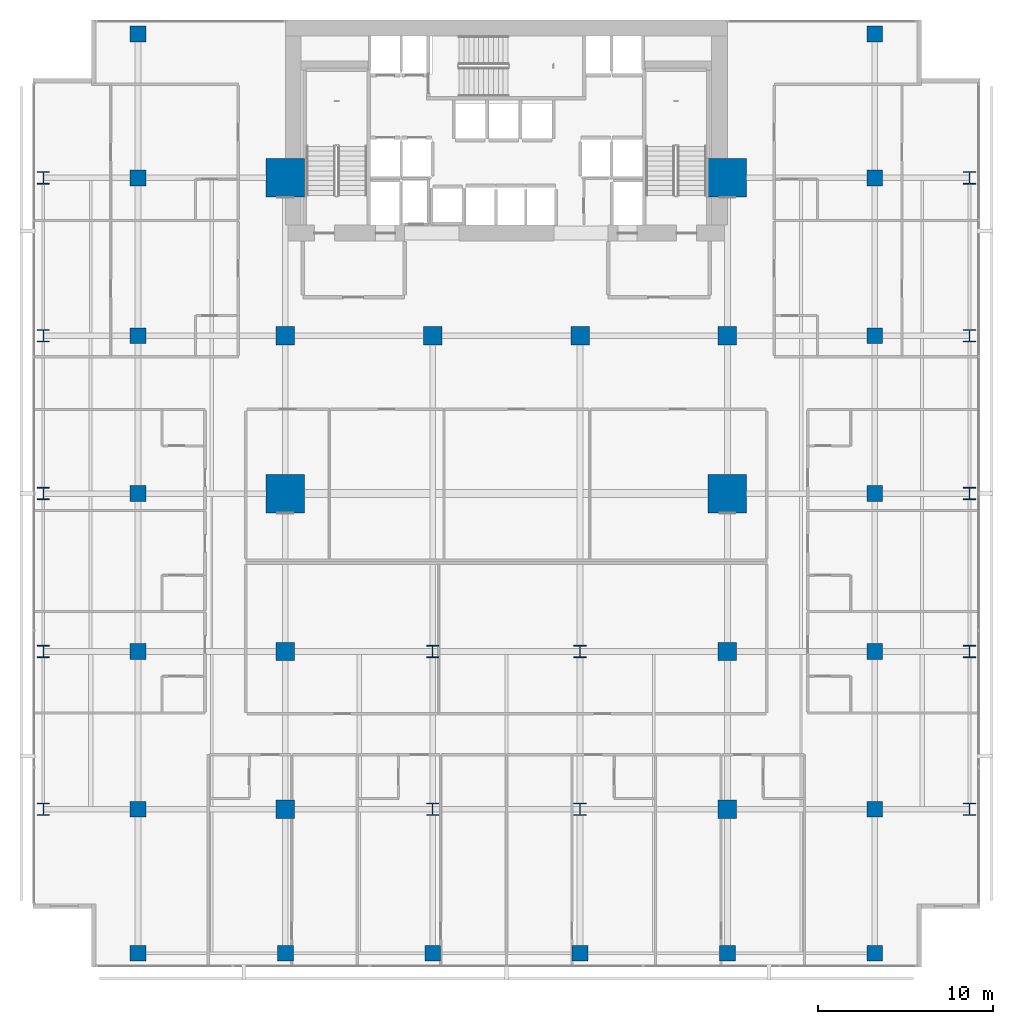
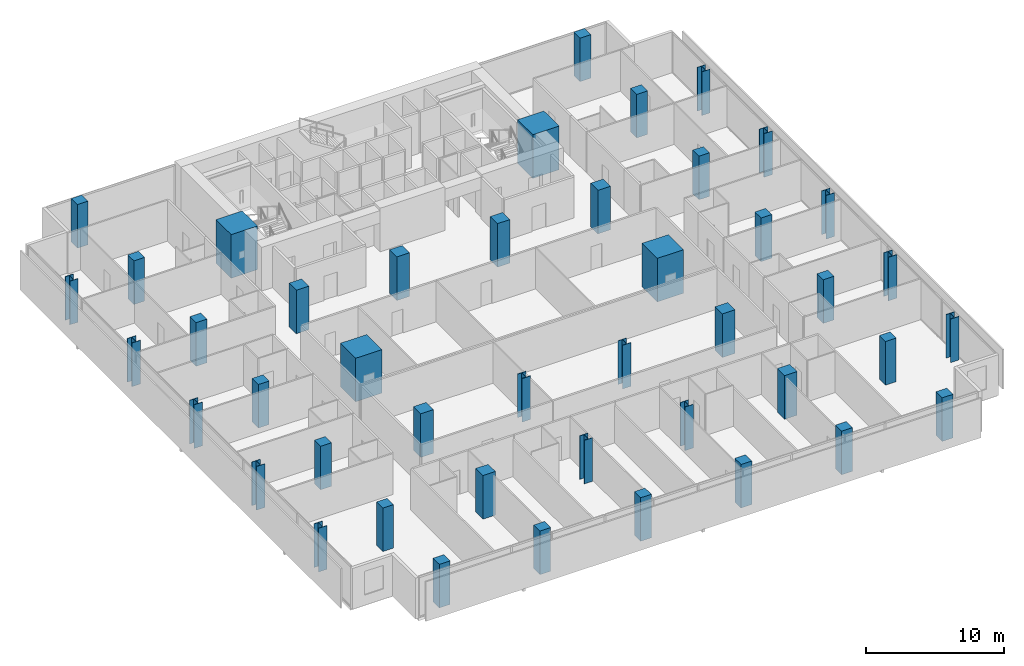
# One storey, part 1 of 40: 44 columns.
"""IFC4 building model written with IfcOpenShell, lengths in metres."""

import ifcopenshell
import ifcopenshell.guid

model = None  # the IFC model being written
_history = None  # IfcOwnerHistory: only IFC2X3 demands one
_inside = {}  # id of a spatial element -> (the spatial element, [elements in it])
_under = {}  # id of a project, library or spatial element -> (it, [spatial elements below it])
_declared = {}  # id of a project -> (the project, [libraries it declares])
_typed = {}  # id of a type object -> (the type object, [elements of that type])
_made_of = {}  # id of a material, layer set ... -> (it, [elements and type objects made of it])


def new_model(schema):
    """Start an empty IFC model of exactly this schema.

    Asked for "IFC4X3", IfcOpenShell would pick the latest addendum, in which some entities
    have other attributes; the version numbers below select the first issue.
    IFC2X3 requires an IfcOwnerHistory on every rooted entity: one is made here for all.
    """
    global model, _history
    if schema == "IFC4X3":
        model = ifcopenshell.file(schema_version=(4, 3, 0, 0))
    else:
        model = ifcopenshell.file(schema=schema)
    _inside.clear()
    _under.clear()
    _declared.clear()
    _typed.clear()
    _made_of.clear()
    _history = None
    if model.schema == "IFC2X3":
        org = make("IfcOrganization", Name="unknown")
        user = make(
            "IfcPersonAndOrganization",
            ThePerson=make("IfcPerson", FamilyName="unknown"),
            TheOrganization=org,
        )
        app = make(
            "IfcApplication",
            ApplicationDeveloper=org,
            Version="unknown",
            ApplicationFullName="unknown",
            ApplicationIdentifier="unknown",
        )
        _history = make(
            "IfcOwnerHistory",
            OwningUser=user,
            OwningApplication=app,
            ChangeAction="ADDED",
            CreationDate=0,
        )
    return model


def make(cls, **values):
    """One entity of the class cls with the attributes given. An attribute that is None is left unset."""
    return model.create_entity(
        cls, **{name: value for name, value in values.items() if value is not None}
    )


def rooted(cls, **values):
    """An entity with a GlobalId (a new one), such as an element, a storey or a relation."""
    return make(cls, GlobalId=ifcopenshell.guid.new(), OwnerHistory=_history, **values)


def si_unit(unit_type, name, prefix=None):
    """IfcSIUnit, for example si_unit("LENGTHUNIT", "METRE", prefix="MILLI")."""
    return make("IfcSIUnit", UnitType=unit_type, Prefix=prefix, Name=name)


def assignment(units):
    """IfcUnitAssignment: the units of a project."""
    return None if units is None else make("IfcUnitAssignment", Units=units)


def point(xyz):
    """IfcCartesianPoint."""
    return None if xyz is None else make("IfcCartesianPoint", Coordinates=xyz)


def direction(xyz):
    """IfcDirection."""
    return None if xyz is None else make("IfcDirection", DirectionRatios=xyz)


def frame(location, z_axis=None, x_axis=None):
    """IfcAxis2Placement3D, a coordinate frame: its origin and axes. An axis left out is left unset."""
    return make(
        "IfcAxis2Placement3D",
        Location=point(location),
        Axis=direction(z_axis),
        RefDirection=direction(x_axis),
    )


def frame_2d(location, x_axis=None):
    """IfcAxis2Placement2D, a coordinate frame in the plane: its origin and x axis."""
    return make(
        "IfcAxis2Placement2D", Location=point(location), RefDirection=direction(x_axis)
    )


def origin():
    """The frame at (0, 0, 0) with its axes left unset."""
    return frame((0.0, 0.0, 0.0))


def origin_2d():
    """The frame at (0, 0) in the plane with its x axis left unset."""
    return frame_2d((0.0, 0.0))


def place(relative_to, where):
    """IfcLocalPlacement: puts the frame where relative to a parent placement (None: the world)."""
    return make(
        "IfcLocalPlacement", PlacementRelTo=relative_to, RelativePlacement=where
    )


def context(
    kind, dimensions, precision=None, world=None, true_north=None, identifier=None
):
    """IfcGeometricRepresentationContext, for example the 3D "Model" context."""
    return make(
        "IfcGeometricRepresentationContext",
        ContextIdentifier=identifier,
        ContextType=kind,
        CoordinateSpaceDimension=dimensions,
        Precision=precision,
        WorldCoordinateSystem=world,
        TrueNorth=true_north,
    )


def subcontext(parent, identifier, kind, view, scale=None):
    """IfcGeometricRepresentationSubContext, for example "Body" below "Model"."""
    return make(
        "IfcGeometricRepresentationSubContext",
        ContextIdentifier=identifier,
        ContextType=kind,
        ParentContext=parent,
        TargetScale=scale,
        TargetView=view,
    )


def project(units=None, contexts=None):
    """IfcProject with its units and contexts."""
    return rooted(
        "IfcProject",
        Name="project",
        RepresentationContexts=contexts,
        UnitsInContext=assignment(units),
    )


def spatial(cls, under=None, at=None, **own):
    """A site, building, storey or space (cls), placed at a placement, below another one or the project."""
    s = rooted(cls, ObjectPlacement=at, **own)
    if under is not None:
        _under.setdefault(under.id(), (under, []))[1].append(s)
    return s


def profile(cls, at=None, kind="AREA", **sizes):
    """A parametric profile (cls). Its sizes go by their IFC names, for example OverallWidth=200.0."""
    return make(cls, ProfileType=kind, Position=at, **sizes)


def rectangle(**sizes):
    """IfcRectangleProfileDef."""
    return profile("IfcRectangleProfileDef", **sizes)


def i_section(**sizes):
    """IfcIShapeProfileDef."""
    return profile("IfcIShapeProfileDef", **sizes)


def extrude(swept, where, along, depth):
    """IfcExtrudedAreaSolid: the profile swept, set in the frame where, extruded along a direction by depth."""
    return make(
        "IfcExtrudedAreaSolid",
        SweptArea=swept,
        Position=where,
        ExtrudedDirection=direction(along),
        Depth=depth,
    )


def shape(context_of_items, identifier, shape_type, items):
    """IfcShapeRepresentation: the items that make up one representation, for example the "Body"."""
    return make(
        "IfcShapeRepresentation",
        ContextOfItems=context_of_items,
        RepresentationIdentifier=identifier,
        RepresentationType=shape_type,
        Items=items,
    )


def material(Name=None, Category=None):
    """IfcMaterial."""
    return make("IfcMaterial", Name=Name, Category=Category)


def material_profile(
    of_material, cross_section, Name=None, Category=None, Priority=None
):
    """IfcMaterialProfile: a cross section and its material."""
    return make(
        "IfcMaterialProfile",
        Name=Name,
        Material=of_material,
        Profile=cross_section,
        Priority=Priority,
        Category=Category,
    )


def profile_set(profiles, Name=None, composite=None):
    """IfcMaterialProfileSet."""
    return make(
        "IfcMaterialProfileSet",
        Name=Name,
        MaterialProfiles=profiles,
        CompositeProfile=composite,
    )


def made_of(thing, what):
    """Note that an element or type object is made of a material, layer set ...; save() writes the relation."""
    if what is not None:
        _made_of.setdefault(what.id(), (what, []))[1].append(thing)
    return thing


def type_object(cls, material=None, **own):
    """A type object (cls), such as IfcWallType, which elements share."""
    return made_of(rooted(cls, **own), material)


def element(
    cls,
    number,
    at=None,
    inside=None,
    cuts=None,
    type_object=None,
    material=None,
    context=None,
    identifier="Body",
    shape_type=None,
    held_by="IfcProductDefinitionShape",
    body=None,
    shapes=None,
    **own,
):
    """One element of the class cls, such as IfcWall. Its Tag is "e" and its number.

    at: its placement. inside: the storey or other place that contains it. cuts: it is an
    opening in that element (IfcRelVoidsElement). A single representation is given by context,
    identifier, shape_type and body (its items); several are given by shapes. held_by: the class
    of the entity that holds the representations. save() writes the other relations.
    """
    e = rooted(cls, Tag="e%d" % number, ObjectPlacement=at, **own)
    if body is not None:
        shapes = [shape(context, identifier, shape_type, body)]
    if shapes is not None:
        e.Representation = make(held_by, Representations=shapes)
    if inside is not None:
        _inside.setdefault(inside.id(), (inside, []))[1].append(e)
    if cuts is not None:
        rooted(
            "IfcRelVoidsElement", RelatingBuildingElement=cuts, RelatedOpeningElement=e
        )
    if type_object is not None:
        _typed.setdefault(type_object.id(), (type_object, []))[1].append(e)
    return made_of(e, material)


def aggregate(whole, parts):
    """IfcRelAggregates: a whole, such as a stair, and the parts it consists of."""
    return rooted("IfcRelAggregates", RelatingObject=whole, RelatedObjects=parts)


def save(model, path):
    """Write the relations noted so far, then the file.

    IfcRelAggregates (storeys below a building ...), IfcRelContainedInSpatialStructure (elements
    in a storey), IfcRelDefinesByType, IfcRelAssociatesMaterial and IfcRelDeclares: one each for
    every whole, place, type object, material and project.
    """
    for whole, parts in _under.values():
        aggregate(whole, parts)
    for where, things in _inside.values():
        rooted(
            "IfcRelContainedInSpatialStructure",
            RelatedElements=things,
            RelatingStructure=where,
        )
    for kind, things in _typed.values():
        rooted("IfcRelDefinesByType", RelatedObjects=things, RelatingType=kind)
    for what, things in _made_of.values():
        rooted("IfcRelAssociatesMaterial", RelatedObjects=things, RelatingMaterial=what)
    for by, libraries in _declared.values():
        rooted("IfcRelDeclares", RelatingContext=by, RelatedDefinitions=libraries)
    model.write(path)


model = new_model("IFC4")

# Units and contexts
model_context = context("Model", 3, precision=1e-05, world=origin(), true_north=direction((0.0, 1.0)))
body_context = subcontext(model_context, "Body", "Model", "MODEL_VIEW")
ifc_project = project(units=[si_unit("LENGTHUNIT", "METRE"), si_unit("AREAUNIT", "SQUARE_METRE"), si_unit("VOLUMEUNIT", "CUBIC_METRE"), si_unit("PLANEANGLEUNIT", "RADIAN"), si_unit("MASSUNIT", "GRAM", prefix="KILO")], contexts=[model_context])

# Site, building, storey
site_placement = place(None, origin())
site = spatial("IfcSite", under=ifc_project, at=site_placement, CompositionType="ELEMENT")
building_placement = place(site_placement, origin())
building = spatial("IfcBuilding", under=site, at=building_placement, Name="Maruvema Waterfront Hotel and Observation Tower", CompositionType="ELEMENT")
storey_placement = place(building_placement, frame((0.0, 0.0, 92.39990234375)))
storey = spatial("IfcBuildingStorey", under=building, at=storey_placement, Name="L22", CompositionType="ELEMENT", Elevation=92.39990234375)

# Columns
ifc_material_1 = material(Name="Concrete C80/95", Category="concrete")
ifc_material_profile_1 = material_profile(ifc_material_1, rectangle(XDim=2.199951171875, YDim=2.199951171875, at=origin_2d()), Name="MC2200x2200")
ifc_profile_set_1 = profile_set([ifc_material_profile_1], Name="Concrete C80/95")
column_type_1 = type_object("IfcColumnType", Name="Continuous Mega-Column MC2200x2200", PredefinedType="COLUMN", material=ifc_profile_set_1)
for number, where, z_axis, x_axis, name in (
    (1, (25.199951171875, 27.0, 0.0), (0.0, 0.0, 1.0), (1.0, 0.0, 0.0), "L22 Continuous Mega-Column MC-01"),
    (2, (50.39990234375, 27.0, 0.0), (0.0, 0.0, 1.0), (1.0, 0.0, 0.0), "L22 Continuous Mega-Column MC-02"),
    (3, (25.199951171875, 45.0, 0.0), (0.0, 0.0, 1.0), (1.0, 0.0, 0.0), "L22 Continuous Mega-Column MC-03"),
    (4, (50.39990234375, 45.0, 0.0), (0.0, 0.0, 1.0), (1.0, 0.0, 0.0), "L22 Continuous Mega-Column MC-04"),
):
    element("IfcColumn", number, at=place(storey_placement, frame(where, z_axis=z_axis, x_axis=x_axis)), inside=storey, type_object=column_type_1, Name=name, PredefinedType="COLUMN", context=body_context, shape_type="SweptSolid", body=[
        extrude(rectangle(XDim=2.199951171875, YDim=2.199951171875, at=origin_2d()), origin(), (0.0, 0.0, 1.0), 3.85009765625),
    ])
ifc_material_2 = material(Name="Concrete C60/75", Category="concrete")
ifc_material_profile_2 = material_profile(ifc_material_2, rectangle(XDim=1.050048828125, YDim=1.050048828125, at=origin_2d()), Name="RC1050x1050")
ifc_profile_set_2 = profile_set([ifc_material_profile_2], Name="Concrete C60/75")
column_type_2 = type_object("IfcColumnType", Name="Reinforced Concrete Column RC1050x1050", PredefinedType="COLUMN", material=ifc_profile_set_2)
for number, where, z_axis, x_axis, name in (
    (5, (25.199951171875, 36.0, 0.0), (0.0, 0.0, 1.0), (1.0, 0.0, 0.0), "L22 Column C-4E"),
    (6, (33.60009765625, 36.0, 0.0), (0.0, 0.0, 1.0), (1.0, 0.0, 0.0), "L22 Column C-5E"),
    (7, (42.0, 36.0, 0.0), (0.0, 0.0, 1.0), (1.0, 0.0, 0.0), "L22 Column C-6E"),
    (8, (50.39990234375, 36.0, 0.0), (0.0, 0.0, 1.0), (1.0, 0.0, 0.0), "L22 Column C-7E"),
    (9, (25.199951171875, 18.0, 0.0), (0.0, 0.0, 1.0), (1.0, 0.0, 0.0), "L22 Column C-4C"),
    (10, (50.39990234375, 18.0, 0.0), (0.0, 0.0, 1.0), (1.0, 0.0, 0.0), "L22 Column C-7C"),
    (11, (25.199951171875, 9.0, 0.0), (0.0, 0.0, 1.0), (1.0, 0.0, 0.0), "L22 Column C-4B"),
    (12, (50.39990234375, 9.0, 0.0), (0.0, 0.0, 1.0), (1.0, 0.0, 0.0), "L22 Column C-7B"),
):
    element("IfcColumn", number, at=place(storey_placement, frame(where, z_axis=z_axis, x_axis=x_axis)), inside=storey, type_object=column_type_2, Name=name, PredefinedType="COLUMN", context=body_context, shape_type="SweptSolid", body=[
        extrude(rectangle(XDim=1.050048828125, YDim=1.050048828125, at=origin_2d()), origin(), (0.0, 0.0, 1.0), 3.85009765625),
    ])
ifc_material_3 = material(Name="Concrete C60/75", Category="concrete")
ifc_material_profile_3 = material_profile(ifc_material_3, rectangle(XDim=0.89990234375, YDim=0.89990234375, at=origin_2d()), Name="RC900x900")
ifc_profile_set_3 = profile_set([ifc_material_profile_3], Name="Concrete C60/75")
column_type_3 = type_object("IfcColumnType", Name="Reinforced Concrete Column RC900x900", PredefinedType="COLUMN", material=ifc_profile_set_3)
for number, where, z_axis, x_axis, name in (
    (13, (16.800048828125, 9.0, 0.0), (0.0, 0.0, 1.0), (1.0, 0.0, 0.0), "L22 Column C-3Y9"),
    (14, (58.800048828125, 9.0, 0.0), (0.0, 0.0, 1.0), (1.0, 0.0, 0.0), "L22 Column C-8Y9"),
    (15, (16.800048828125, 18.0, 0.0), (0.0, 0.0, 1.0), (1.0, 0.0, 0.0), "L22 Column C-3Y18"),
    (16, (58.800048828125, 18.0, 0.0), (0.0, 0.0, 1.0), (1.0, 0.0, 0.0), "L22 Column C-8Y18"),
    (17, (16.800048828125, 27.0, 0.0), (0.0, 0.0, 1.0), (1.0, 0.0, 0.0), "L22 Column C-3Y27"),
    (18, (58.800048828125, 27.0, 0.0), (0.0, 0.0, 1.0), (1.0, 0.0, 0.0), "L22 Column C-8Y27"),
    (19, (16.800048828125, 36.0, 0.0), (0.0, 0.0, 1.0), (1.0, 0.0, 0.0), "L22 Column C-3Y36"),
    (20, (58.800048828125, 36.0, 0.0), (0.0, 0.0, 1.0), (1.0, 0.0, 0.0), "L22 Column C-8Y36"),
    (21, (16.800048828125, 45.0, 0.0), (0.0, 0.0, 1.0), (1.0, 0.0, 0.0), "L22 Column C-3Y45"),
    (22, (58.800048828125, 45.0, 0.0), (0.0, 0.0, 1.0), (1.0, 0.0, 0.0), "L22 Column C-8Y45"),
    (23, (16.800048828125, 0.800048828125, 0.0), (0.0, 0.0, 1.0), (1.0, 0.0, 0.0), "L22 Column C-3A"),
    (24, (25.199951171875, 0.800048828125, 0.0), (0.0, 0.0, 1.0), (1.0, 0.0, 0.0), "L22 Column C-4A"),
    (25, (33.60009765625, 0.800048828125, 0.0), (0.0, 0.0, 1.0), (1.0, 0.0, 0.0), "L22 Column C-5A"),
    (26, (42.0, 0.800048828125, 0.0), (0.0, 0.0, 1.0), (1.0, 0.0, 0.0), "L22 Column C-6A"),
    (27, (50.39990234375, 0.800048828125, 0.0), (0.0, 0.0, 1.0), (1.0, 0.0, 0.0), "L22 Column C-7A"),
    (28, (58.800048828125, 0.800048828125, 0.0), (0.0, 0.0, 1.0), (1.0, 0.0, 0.0), "L22 Column C-8A"),
    (29, (16.800048828125, 53.199951171875, 0.0), (0.0, 0.0, 1.0), (1.0, 0.0, 0.0), "L22 Column C-3G"),
    (30, (58.800048828125, 53.199951171875, 0.0), (0.0, 0.0, 1.0), (1.0, 0.0, 0.0), "L22 Column C-8G"),
):
    element("IfcColumn", number, at=place(storey_placement, frame(where, z_axis=z_axis, x_axis=x_axis)), inside=storey, type_object=column_type_3, Name=name, PredefinedType="COLUMN", context=body_context, shape_type="SweptSolid", body=[
        extrude(rectangle(XDim=0.89990234375, YDim=0.89990234375, at=origin_2d()), origin(), (0.0, 0.0, 1.0), 3.85009765625),
    ])
ifc_material_4 = material(Name="Steel ABNT NBR 7007 AR 415 (ASTM A572 Grade 50)", Category="steel")
ifc_material_profile_4 = material_profile(ifc_material_4, i_section(OverallWidth=0.699951171875, OverallDepth=0.699951171875, WebThickness=0.028076171875, FlangeThickness=0.0439453125, at=origin_2d()), Name="CVS700x436")
ifc_profile_set_4 = profile_set([ifc_material_profile_4], Name="Steel ABNT NBR 7007 AR 415 (ASTM A572 Grade 50)")
column_type_4 = type_object("IfcColumnType", Name="Structural Steel Column CVS700x436", PredefinedType="COLUMN", material=ifc_profile_set_4)
for number, where, z_axis, x_axis, name in (
    (31, (33.60009765625, 9.0, 0.0), (0.0, 0.0, 1.0), (1.0, 0.0, 0.0), "L22 Column C-5B"),
    (32, (42.0, 9.0, 0.0), (0.0, 0.0, 1.0), (1.0, 0.0, 0.0), "L22 Column C-6B"),
    (33, (33.60009765625, 18.0, 0.0), (0.0, 0.0, 1.0), (1.0, 0.0, 0.0), "L22 Column C-5C"),
    (34, (42.0, 18.0, 0.0), (0.0, 0.0, 1.0), (1.0, 0.0, 0.0), "L22 Column C-6C"),
    (35, (11.39990234375, 9.0, 0.0), (0.0, 0.0, 1.0), (1.0, 0.0, 0.0), "L22 Column C-Z1W9"),
    (36, (64.199951171875, 9.0, 0.0), (0.0, 0.0, 1.0), (1.0, 0.0, 0.0), "L22 Column C-Z1E9"),
    (37, (11.39990234375, 18.0, 0.0), (0.0, 0.0, 1.0), (1.0, 0.0, 0.0), "L22 Column C-Z1W18"),
    (38, (64.199951171875, 18.0, 0.0), (0.0, 0.0, 1.0), (1.0, 0.0, 0.0), "L22 Column C-Z1E18"),
    (39, (11.39990234375, 27.0, 0.0), (0.0, 0.0, 1.0), (1.0, 0.0, 0.0), "L22 Column C-Z1W27"),
    (40, (64.199951171875, 27.0, 0.0), (0.0, 0.0, 1.0), (1.0, 0.0, 0.0), "L22 Column C-Z1E27"),
    (41, (11.39990234375, 36.0, 0.0), (0.0, 0.0, 1.0), (1.0, 0.0, 0.0), "L22 Column C-Z1W36"),
    (42, (64.199951171875, 36.0, 0.0), (0.0, 0.0, 1.0), (1.0, 0.0, 0.0), "L22 Column C-Z1E36"),
    (43, (11.39990234375, 45.0, 0.0), (0.0, 0.0, 1.0), (1.0, 0.0, 0.0), "L22 Column C-Z1W45"),
    (44, (64.199951171875, 45.0, 0.0), (0.0, 0.0, 1.0), (1.0, 0.0, 0.0), "L22 Column C-Z1E45"),
):
    element("IfcColumn", number, at=place(storey_placement, frame(where, z_axis=z_axis, x_axis=x_axis)), inside=storey, type_object=column_type_4, Name=name, PredefinedType="COLUMN", context=body_context, shape_type="SweptSolid", body=[
        extrude(i_section(OverallWidth=0.699951171875, OverallDepth=0.699951171875, WebThickness=0.028076171875, FlangeThickness=0.0439453125, at=origin_2d()), origin(), (0.0, 0.0, 1.0), 3.85009765625),
    ])

save(model, "model.ifc")
